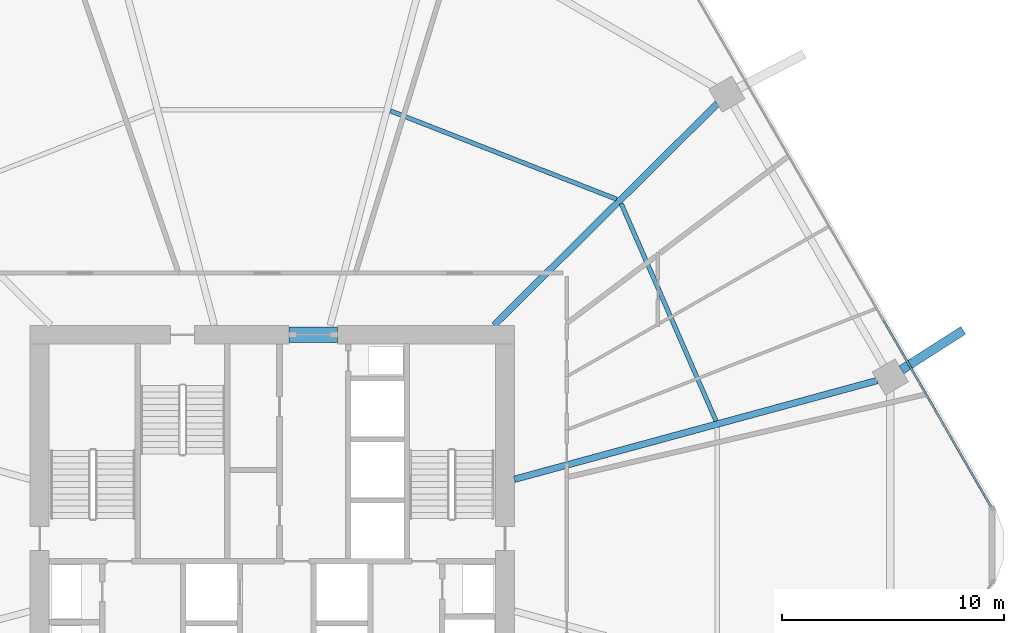
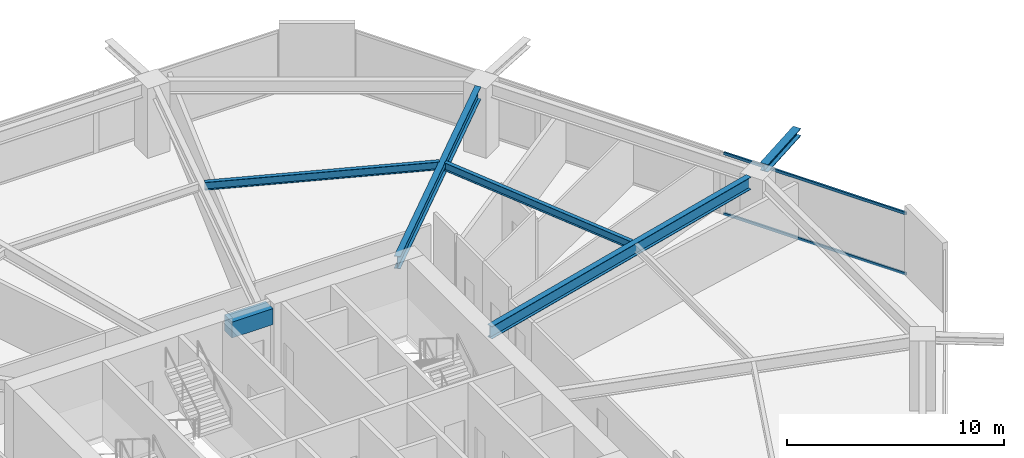
# One storey, part 16 of 25: 6 beams, 2 members, 1 element without a shape of its own.
"""IFC4 building model written with IfcOpenShell, lengths in metres."""

from ifc_helpers import new_model, si_unit, direction, frame, origin, origin_2d, place, context, subcontext, project, spatial, rectangle, hollow_rectangle, i_section, extrude, material, material_profile, profile_set, type_object, element, aggregate, save


model = new_model("IFC4")

# Units and contexts
model_context = context("Model", 3, precision=1e-05, world=origin(), true_north=direction((0.0, 1.0)))
body_context = subcontext(model_context, "Body", "Model", "MODEL_VIEW")
ifc_project = project(units=[si_unit("LENGTHUNIT", "METRE"), si_unit("AREAUNIT", "SQUARE_METRE"), si_unit("VOLUMEUNIT", "CUBIC_METRE"), si_unit("PLANEANGLEUNIT", "RADIAN"), si_unit("MASSUNIT", "GRAM", prefix="KILO")], contexts=[model_context])

# Site, building, storey
site_placement = place(None, origin())
site = spatial("IfcSite", under=ifc_project, at=site_placement, CompositionType="ELEMENT")
building_placement = place(site_placement, origin())
building = spatial("IfcBuilding", under=site, at=building_placement, Name="Zuhravey Tower", CompositionType="ELEMENT")
storey_placement = place(building_placement, frame((0.0, 0.0, 45.60009765625)))
storey = spatial("IfcBuildingStorey", under=building, at=storey_placement, Name="L11", CompositionType="ELEMENT", Elevation=45.60009765625)

# Beam
ifc_material_1 = material(Name="Concrete C60/75", Category="concrete")
ifc_material_profile_1 = material_profile(ifc_material_1, rectangle(XDim=0.699951171875, YDim=0.89990234375, at=origin_2d()), Name="RC-700x900")
ifc_profile_set_1 = profile_set([ifc_material_profile_1], Name="Concrete C60/75")
beam_type_1 = type_object("IfcBeamType", Name="Core Coupling Beam RC700x900", PredefinedType="LINTEL", material=ifc_profile_set_1)
beam_1_placement = place(storey_placement, frame((36.751953125, 41.5, 3.469970703125), z_axis=(1.0, 0.0, 0.0), x_axis=(0.0, 1.0, 0.0)))
element("IfcBeam", 1, at=beam_1_placement, inside=storey, type_object=beam_type_1, Name="L11 CB1 BM-L11-CB-N", PredefinedType="LINTEL", context=body_context, shape_type="SweptSolid", body=[
    extrude(rectangle(XDim=0.699951171875, YDim=0.89990234375, at=origin_2d()), origin(), (0.0, 0.0, 1.0), 2.196044921875),
])

# Curtain wall, members
ifc_material_2 = material(Name="Thermally broken anodised aluminium", Category="aluminium")
curtain_wall_type = type_object("IfcCurtainWallType", Name="School Low-E Unitised Curtain Wall CW1", PredefinedType="NOTDEFINED", material=ifc_material_2)
curtain_wall_placement = place(storey_placement, origin())
curtain_wall = element("IfcCurtainWall", 2, at=curtain_wall_placement, inside=storey, type_object=curtain_wall_type, Name="L11 CW1 CW-L11-F1-1", PredefinedType="NOTDEFINED")
ifc_material_3 = material(Name="Anodised aluminium", Category="aluminium")
ifc_material_profile_2 = material_profile(ifc_material_3, hollow_rectangle(XDim=0.090087890625, YDim=0.14990234375, WallThickness=0.0048828125, at=origin_2d()), Name="ALU-RHS-90x150x5")
ifc_profile_set_2 = profile_set([ifc_material_profile_2], Name="Anodised aluminium")
member_type = type_object("IfcMemberType", Name="Curtain-Wall Transom 90x150", PredefinedType="USERDEFINED", material=ifc_profile_set_2)
member_1_placement = place(storey_placement, frame((63.56787109375, 42.16796875, 0.044921875), z_axis=(0.500008393077, -0.866020557985, 0.0), x_axis=(0.866020557985, 0.500008393077, 0.0)))
member_1 = element("IfcMember", 3, at=member_1_placement, type_object=member_type, Name="CW1 transom 3.1", ObjectType="TRANSOM", PredefinedType="USERDEFINED", context=body_context, shape_type="SweptSolid", body=[
    extrude(hollow_rectangle(XDim=0.090087890625, YDim=0.14990234375, WallThickness=0.0048828125, at=origin_2d()), origin(), (0.0, 0.0, 1.0), 9.731201171875),
])
member_2_placement = place(storey_placement, frame((63.56787109375, 42.16796875, 3.447021484375), z_axis=(0.500008393077, -0.866020557985, 0.0), x_axis=(0.866020557985, 0.500008393077, 0.0)))
member_2 = element("IfcMember", 4, at=member_2_placement, type_object=member_type, Name="CW1 transom 3.2", ObjectType="TRANSOM", PredefinedType="USERDEFINED", context=body_context, shape_type="SweptSolid", body=[
    extrude(hollow_rectangle(XDim=0.090087890625, YDim=0.14990234375, WallThickness=0.0048828125, at=origin_2d()), origin(), (0.0, 0.0, 1.0), 9.731201171875),
])
aggregate(curtain_wall, [member_1, member_2])

# Beams
ifc_material_4 = material(Name="Steel SM460", Category="steel")
ifc_material_profile_3 = material_profile(ifc_material_4, i_section(OverallWidth=0.406982421875, OverallDepth=0.427978515625, WebThickness=0.02001953125, FlangeThickness=0.034912109375, at=origin_2d()), Name="H-428x407x20x35")
ifc_profile_set_3 = profile_set([ifc_material_profile_3], Name="Steel SM460")
beam_type_2 = type_object("IfcBeamType", Name="Exoskeleton Node Tie Beam H428x407", PredefinedType="BEAM", material=ifc_profile_set_3)
beam_2_placement = place(storey_placement, frame((64.398681640625, 39.9169921875, 3.705810546875), z_axis=(0.842680429426, 0.538414054295, 0.0), x_axis=(-0.538414054295, 0.842680429426, 0.0)))
element("IfcBeam", 5, at=beam_2_placement, inside=storey, type_object=beam_type_2, Name="L11 Exoskeleton Node Tie NT1-01", PredefinedType="BEAM", context=body_context, shape_type="SweptSolid", body=[
    extrude(i_section(OverallWidth=0.406982421875, OverallDepth=0.427978515625, WebThickness=0.02001953125, FlangeThickness=0.034912109375, at=origin_2d()), origin(), (0.0, 0.0, 1.0), 3.30419921875),
])
ifc_material_5 = material(Name="Steel SM355", Category="steel")
ifc_material_profile_4 = material_profile(ifc_material_5, i_section(OverallWidth=0.300048828125, OverallDepth=0.699951171875, WebThickness=0.012939453125, FlangeThickness=0.02392578125, at=origin_2d()), Name="H-700x300x13x24")
ifc_profile_set_4 = profile_set([ifc_material_profile_4], Name="Steel SM355")
beam_type_3 = type_object("IfcBeamType", Name="Radial Primary Girder H700x300", PredefinedType="BEAM", material=ifc_profile_set_4)
beam_3_placement = place(storey_placement, frame((46.927978515625, 34.974609375, 3.56982421875), z_axis=(0.964892480455, 0.26264520015, 0.0), x_axis=(-0.26264520015, 0.964892480455, 0.0)))
element("IfcBeam", 6, at=beam_3_placement, inside=storey, type_object=beam_type_3, Name="L11 RG1 BM-L11-RAD-01", PredefinedType="BEAM", context=body_context, shape_type="SweptSolid", body=[
    extrude(i_section(OverallWidth=0.300048828125, OverallDepth=0.699951171875, WebThickness=0.012939453125, FlangeThickness=0.02392578125, at=origin_2d()), origin(), (0.0, 0.0, 1.0), 16.975341796875),
])
beam_4_placement = place(storey_placement, frame((46.007080078125, 41.927978515625, 3.56982421875), z_axis=(0.709902823282, 0.704299639, 0.0), x_axis=(-0.704299639, 0.709902823282, 0.0)))
element("IfcBeam", 7, at=beam_4_placement, inside=storey, type_object=beam_type_3, Name="L11 RG1 BM-L11-RAD-02", PredefinedType="BEAM", context=body_context, shape_type="SweptSolid", body=[
    extrude(i_section(OverallWidth=0.300048828125, OverallDepth=0.699951171875, WebThickness=0.012939453125, FlangeThickness=0.02392578125, at=origin_2d()), origin(), (0.0, 0.0, 1.0), 14.204345703125),
])
ifc_material_profile_5 = material_profile(ifc_material_5, i_section(OverallWidth=0.199951171875, OverallDepth=0.449951171875, WebThickness=0.009033203125, FlangeThickness=0.013916015625, at=origin_2d()), Name="H-450x200x9x14")
ifc_profile_set_5 = profile_set([ifc_material_profile_5], Name="Steel SM355")
beam_type_4 = type_object("IfcBeamType", Name="Secondary Floor Joist H450x200", PredefinedType="JOIST", material=ifc_profile_set_5)
beam_5_placement = place(storey_placement, frame((56.025390625, 37.60888671875, 3.69482421875), z_axis=(-0.399923551578, 0.916548500022, 0.0), x_axis=(-0.916548500022, -0.399923551578, 0.0)))
element("IfcBeam", 8, at=beam_5_placement, inside=storey, type_object=beam_type_4, Name="L11 SJ1 BM-L11-SJ-01-1", PredefinedType="JOIST", context=body_context, shape_type="SweptSolid", body=[
    extrude(i_section(OverallWidth=0.199951171875, OverallDepth=0.449951171875, WebThickness=0.009033203125, FlangeThickness=0.013916015625, at=origin_2d()), origin(), (0.0, 0.0, 1.0), 10.70263671875),
])
beam_6_placement = place(storey_placement, frame((51.5400390625, 47.61572265625, 3.69482421875), z_axis=(-0.931516535886, 0.363698973562, 0.0), x_axis=(-0.363698973562, -0.931516535886, 0.0)))
element("IfcBeam", 9, at=beam_6_placement, inside=storey, type_object=beam_type_4, Name="L11 SJ1 BM-L11-SJ-02-1", PredefinedType="JOIST", context=body_context, shape_type="SweptSolid", body=[
    extrude(i_section(OverallWidth=0.199951171875, OverallDepth=0.449951171875, WebThickness=0.009033203125, FlangeThickness=0.013916015625, at=origin_2d()), origin(), (0.0, 0.0, 1.0), 10.963134765625),
])

save(model, "model.ifc")
